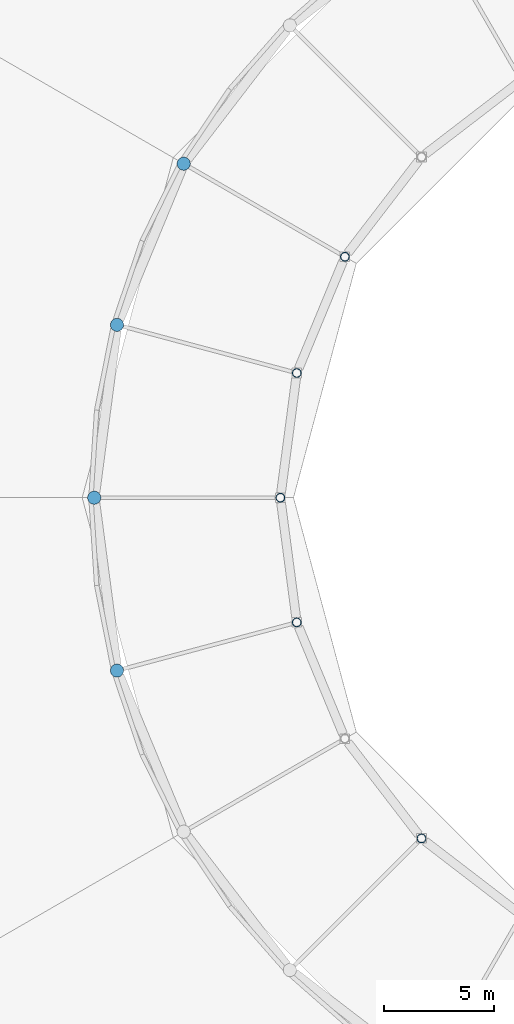
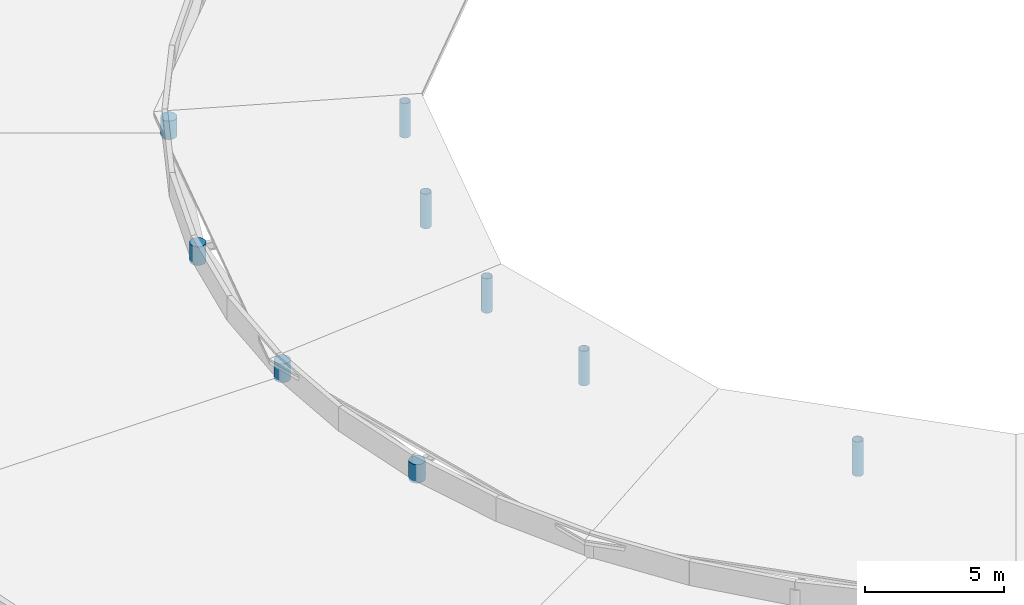
# One storey, part 2 of 77: 9 columns.
"""IFC4 building model written with IfcOpenShell, lengths in metres."""

from ifc_helpers import new_model, si_unit, direction, frame, origin, origin_2d, place, context, subcontext, project, spatial, circle, hollow_circle, extrude, material, material_profile, profile_set, type_object, element, save


model = new_model("IFC4")

# Units and contexts
model_context = context("Model", 3, precision=1e-05, world=origin(), true_north=direction((0.0, 1.0)))
body_context = subcontext(model_context, "Body", "Model", "MODEL_VIEW")
ifc_project = project(units=[si_unit("LENGTHUNIT", "METRE"), si_unit("AREAUNIT", "SQUARE_METRE"), si_unit("VOLUMEUNIT", "CUBIC_METRE"), si_unit("PLANEANGLEUNIT", "RADIAN"), si_unit("MASSUNIT", "GRAM", prefix="KILO")], contexts=[model_context])

# Site, building, storey
site_placement = place(None, origin())
site = spatial("IfcSite", under=ifc_project, at=site_placement, CompositionType="ELEMENT")
building_placement = place(site_placement, origin())
building = spatial("IfcBuilding", under=site, at=building_placement, Name="Larkveld Mobility Hub", CompositionType="ELEMENT")
storey_placement = place(building_placement, frame((0.0, 0.0, 12.0)))
storey = spatial("IfcBuildingStorey", under=building, at=storey_placement, Name="L03", CompositionType="ELEMENT", Elevation=12.0)

# Columns
ifc_material_1 = material(Name="Concrete C40/50", Category="concrete")
ifc_material_profile_1 = material_profile(ifc_material_1, circle(Radius=0.300048828125, at=origin_2d()), Name="RC COL D600")
ifc_profile_set_1 = profile_set([ifc_material_profile_1], Name="Concrete C40/50")
column_type_1 = type_object("IfcColumnType", Name="CL-RCD600", PredefinedType="COLUMN", material=ifc_profile_set_1)
for number, where, z_axis, x_axis, name in (
    (1, (21.5859375, 63.25, 0.0), (0.0, 0.0, 1.0), (1.0, 0.0, 0.0), "Column DRM-R30-K20 (L03)"),
    (2, (18.5390625, 55.89404296875, 0.0), (0.0, 0.0, 1.0), (1.0, 0.0, 0.0), "Column DRM-R30-K22 (L03)"),
    (3, (17.5, 48.0, 0.0), (0.0, 0.0, 1.0), (1.0, 0.0, 0.0), "Column DRM-R30-K24 (L03)"),
    (4, (18.5390625, 40.10595703125, 0.0), (0.0, 0.0, 1.0), (1.0, 0.0, 0.0), "Column DRM-R30-K26 (L03)"),
):
    element("IfcColumn", number, at=place(storey_placement, frame(where, z_axis=z_axis, x_axis=x_axis)), inside=storey, type_object=column_type_1, Name=name, PredefinedType="COLUMN", context=body_context, shape_type="SweptSolid", body=[
        extrude(circle(Radius=0.300048828125, at=origin_2d()), origin(), (0.0, 0.0, 1.0), 0.820068359375),
    ])
ifc_material_2 = material(Name="Steel S355JR", Category="steel")
ifc_material_profile_2 = material_profile(ifc_material_2, hollow_circle(Radius=0.203125, WallThickness=0.01611328125, at=origin_2d()), Name="CHS 406.4x16")
ifc_profile_set_2 = profile_set([ifc_material_profile_2], Name="Steel S355JR")
column_type_2 = type_object("IfcColumnType", Name="CL-STCHS406", PredefinedType="COLUMN", material=ifc_profile_set_2)
for number, where, z_axis, x_axis, name in (
    (5, (28.947021484375, 59.0, 0.0), (0.0, 0.0, 1.0), (1.0, 0.0, 0.0), "Column DRM-R22-K20 (L03)"),
    (6, (26.75, 53.694091796875, 0.0), (0.0, 0.0, 1.0), (1.0, 0.0, 0.0), "Column DRM-R22-K22 (L03)"),
    (7, (26.0, 48.0, 0.0), (0.0, 0.0, 1.0), (1.0, 0.0, 0.0), "Column DRM-R22-K24 (L03)"),
    (8, (26.75, 42.305908203125, 0.0), (0.0, 0.0, 1.0), (1.0, 0.0, 0.0), "Column DRM-R22-K26 (L03)"),
    (9, (32.444091796875, 32.444091796875, 0.0), (0.0, 0.0, 1.0), (1.0, 0.0, 0.0), "Column DRM-R22-K30 (L03)"),
):
    element("IfcColumn", number, at=place(storey_placement, frame(where, z_axis=z_axis, x_axis=x_axis)), inside=storey, type_object=column_type_2, Name=name, PredefinedType="COLUMN", context=body_context, shape_type="SweptSolid", body=[
        extrude(hollow_circle(Radius=0.203125, WallThickness=0.01611328125, at=origin_2d()), origin(), (0.0, 0.0, 1.0), 1.52001953125),
    ])

save(model, "model.ifc")
